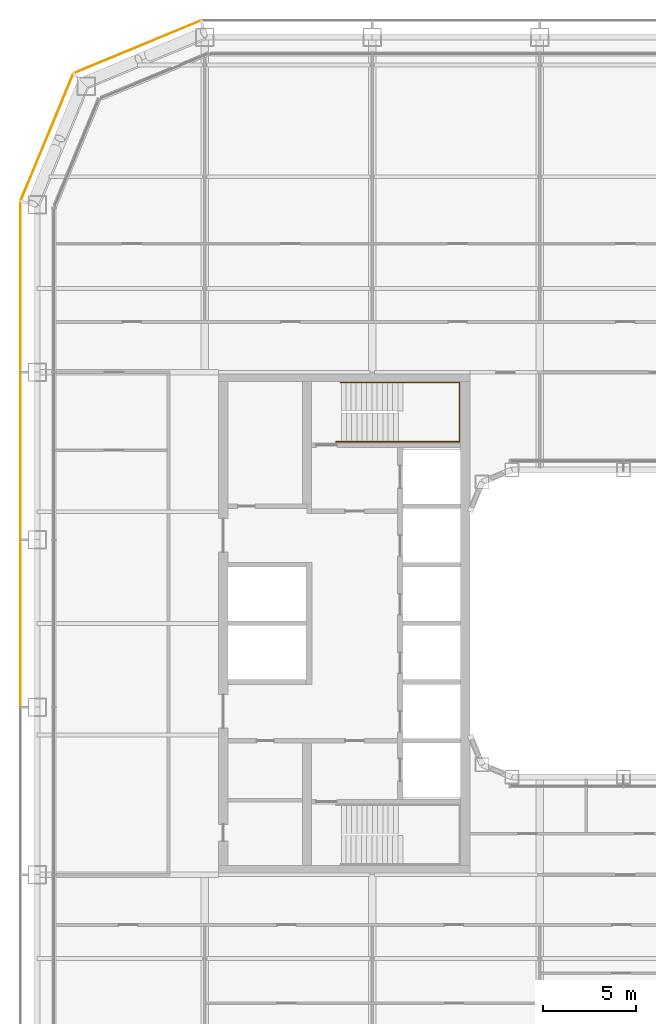
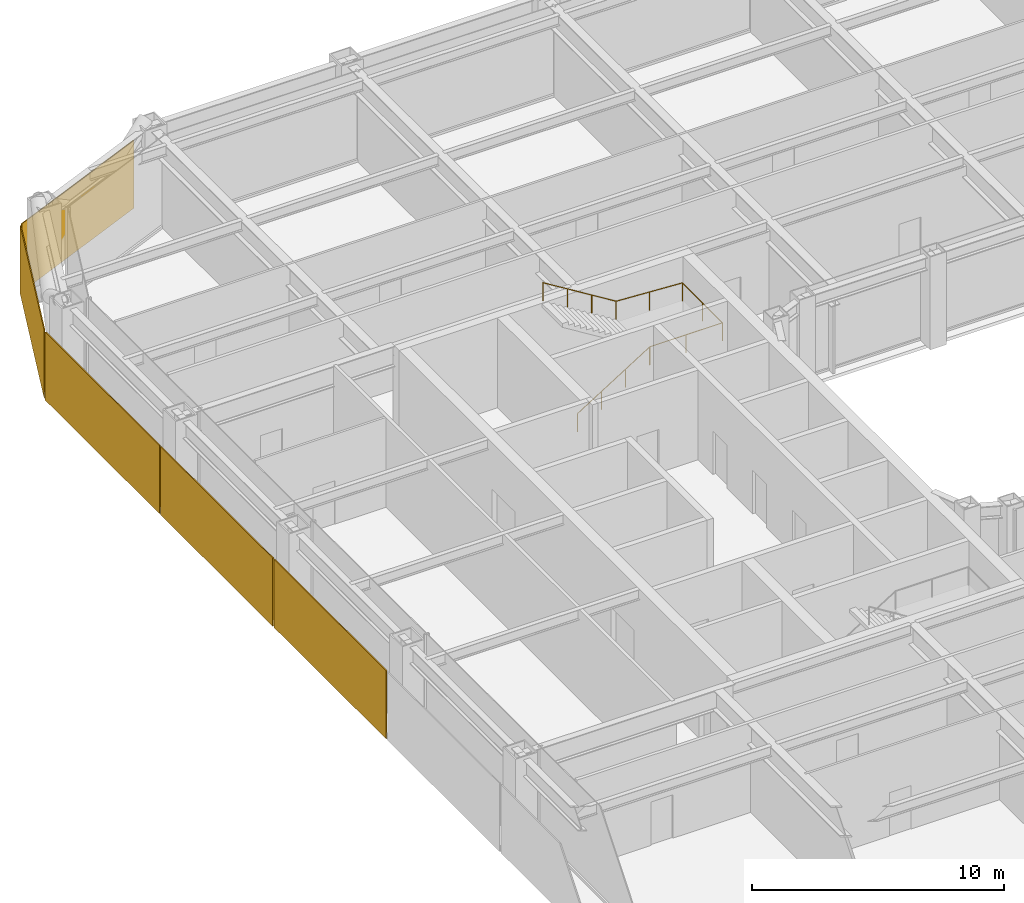
# One storey, part 22 of 24: 5 coverings, 1 railing.
"""IFC4 building model written with IfcOpenShell, lengths in metres."""

from ifc_helpers import new_model, si_unit, direction, frame, origin, origin_2d, place, context, subcontext, project, spatial, rectangle, circle, extrude, material, layer, layer_set, type_object, element, save


model = new_model("IFC4")

# Units and contexts
model_context = context("Model", 3, precision=1e-05, world=origin(), true_north=direction((0.0, 1.0)))
body_context = subcontext(model_context, "Body", "Model", "MODEL_VIEW")
ifc_project = project(units=[si_unit("LENGTHUNIT", "METRE"), si_unit("AREAUNIT", "SQUARE_METRE"), si_unit("VOLUMEUNIT", "CUBIC_METRE"), si_unit("PLANEANGLEUNIT", "RADIAN"), si_unit("MASSUNIT", "GRAM", prefix="KILO")], contexts=[model_context])

# Site, building, storey
site_placement = place(None, origin())
site = spatial("IfcSite", under=ifc_project, at=site_placement, CompositionType="ELEMENT")
building_placement = place(site_placement, origin())
building = spatial("IfcBuilding", under=site, at=building_placement, Name="Siwar Civic Tower", CompositionType="ELEMENT")
storey_placement = place(building_placement, frame((0.0, 0.0, 76.199951171875)))
storey = spatial("IfcBuildingStorey", under=building, at=storey_placement, Name="L16", CompositionType="ELEMENT", Elevation=76.199951171875)

# Railing
ifc_material_1 = material(Name="Stainless steel", Category="steel")
railing_type = type_object("IfcRailingType", Name="CORE-STAIR-HANDRAIL", PredefinedType="HANDRAIL", material=ifc_material_1)
railing_placement = place(storey_placement, frame((-15.449951171875, 9.758056640625, 0.173095703125)))
element("IfcRailing", 1, at=railing_placement, inside=storey, type_object=railing_type, Name="Stair handrail ST1", PredefinedType="HANDRAIL", context=body_context, shape_type="SweptSolid", body=[
    extrude(circle(Radius=0.02001953125, at=origin_2d()), frame((0.0, 0.0, 0.8798828125), z_axis=(0.847063342986, 0.0, 0.531491950051), x_axis=(0.0, 1.0, 0.0)), (0.0, 0.0, 1.0), 3.90771484375),
    extrude(circle(Radius=0.02001953125, at=origin_2d()), frame((3.31005859375, 0.0, 2.956787109375), z_axis=(1.0, 0.0, 0.0), x_axis=(0.0, 1.0, 0.0)), (0.0, 0.0, 1.0), 3.331787109375),
    extrude(circle(Radius=0.02001953125, at=origin_2d()), frame((6.641845703125, 0.0, 2.956787109375), z_axis=(0.0, 1.0, 0.0), x_axis=(-1.0, 0.0, 0.0)), (0.0, 0.0, 1.0), 3.183837890625),
    extrude(circle(Radius=0.02001953125, at=origin_2d()), frame((6.641845703125, 3.183837890625, 2.956787109375), z_axis=(-0.99837434197, 0.0, 0.056997134106), x_axis=(0.0, -1.0, 0.0)), (0.0, 0.0, 1.0), 3.036865234375),
    extrude(circle(Radius=0.02001953125, at=origin_2d()), frame((3.60986328125, 3.183837890625, 3.1298828125), z_axis=(-0.850606129759, 0.0, 0.525803396734), x_axis=(0.0, -1.0, 0.0)), (0.0, 0.0, 1.0), 3.949951171875),
    extrude(circle(Radius=0.02001953125, at=origin_2d()), origin(), (0.0, 0.0, 1.0), 0.85986328125),
    extrude(circle(Radius=0.02001953125, at=origin_2d()), frame((1.103271484375, 0.0, 0.6923828125)), (0.0, 0.0, 1.0), 0.85986328125),
    extrude(circle(Radius=0.02001953125, at=origin_2d()), frame((2.206787109375, 0.0, 1.384521484375)), (0.0, 0.0, 1.0), 0.85986328125),
    extrude(circle(Radius=0.02001953125, at=origin_2d()), frame((3.31005859375, 0.0, 2.076904296875)), (0.0, 0.0, 1.0), 0.85986328125),
    extrude(circle(Radius=0.02001953125, at=origin_2d()), frame((4.97607421875, 0.0, 2.076904296875)), (0.0, 0.0, 1.0), 0.85986328125),
    extrude(circle(Radius=0.02001953125, at=origin_2d()), frame((6.641845703125, 0.0, 2.076904296875)), (0.0, 0.0, 1.0), 0.85986328125),
    extrude(circle(Radius=0.02001953125, at=origin_2d()), frame((6.641845703125, 1.591796875, 2.076904296875)), (0.0, 0.0, 1.0), 0.85986328125),
    extrude(circle(Radius=0.02001953125, at=origin_2d()), frame((6.641845703125, 3.183837890625, 2.076904296875)), (0.0, 0.0, 1.0), 0.85986328125),
    extrude(circle(Radius=0.02001953125, at=origin_2d()), frame((5.1259765625, 3.183837890625, 2.16357421875)), (0.0, 0.0, 1.0), 0.85986328125),
    extrude(circle(Radius=0.02001953125, at=origin_2d()), frame((3.60986328125, 3.183837890625, 2.25)), (0.0, 0.0, 1.0), 0.85986328125),
    extrude(circle(Radius=0.02001953125, at=origin_2d()), frame((2.489990234375, 3.183837890625, 2.9423828125)), (0.0, 0.0, 1.0), 0.85986328125),
    extrude(circle(Radius=0.02001953125, at=origin_2d()), frame((1.369873046875, 3.183837890625, 3.634521484375)), (0.0, 0.0, 1.0), 0.85986328125),
    extrude(circle(Radius=0.02001953125, at=origin_2d()), frame((0.25, 3.183837890625, 4.326904296875)), (0.0, 0.0, 1.0), 0.85986328125),
])

# Coverings
ifc_material_2 = material(Name="Perforated aluminium cassette, pale metal", Category="aluminium")
ifc_layer_1 = layer(ifc_material_2, 0.0400390625)
ifc_layer_set_1 = layer_set([ifc_layer_1], Name="Perforated aluminium cassette, pale metal")
covering_type_1 = type_object("IfcCoveringType", Name="ENV-OUTER SKIN OS-1", PredefinedType="CLADDING", material=ifc_layer_set_1)
covering_1_placement = place(storey_placement, frame((-26.115966796875, 30.976318359375, -0.14990234375), z_axis=(0.0, 0.0, 1.0), x_axis=(-0.923879532511, -0.382683432365, 0.0)))
element("IfcCovering", 2, at=covering_1_placement, inside=storey, type_object=covering_type_1, Name="OUTER SKIN OS-1 NW1 1", PredefinedType="CLADDING", context=body_context, shape_type="SweptSolid", body=[
    extrude(rectangle(XDim=7.300048828125, YDim=0.0400390625, at=origin_2d()), origin(), (0.0, 0.0, 1.0), 3.300048828125),
])
ifc_material_3 = material(Name="Perforated aluminium cassette, pale metal", Category="aluminium")
ifc_layer_2 = layer(ifc_material_3, 0.044921875)
ifc_layer_set_2 = layer_set([ifc_layer_2], Name="Perforated aluminium cassette, pale metal")
covering_type_2 = type_object("IfcCoveringType", Name="ENV-OUTER SKIN OS-2", PredefinedType="CLADDING", material=ifc_layer_set_2)
covering_2_placement = place(storey_placement, frame((-30.976318359375, 26.115966796875, -0.14990234375), z_axis=(0.0, 0.0, 1.0), x_axis=(-0.382683432365, -0.923879532511, 0.0)))
element("IfcCovering", 3, at=covering_2_placement, inside=storey, type_object=covering_type_2, Name="OUTER SKIN OS-2 NW2 1", PredefinedType="CLADDING", context=body_context, shape_type="SweptSolid", body=[
    extrude(rectangle(XDim=7.300048828125, YDim=0.044921875, at=origin_2d()), origin(), (0.0, 0.0, 1.0), 3.300048828125),
])
ifc_material_4 = material(Name="Perforated aluminium cassette, pale metal", Category="aluminium")
ifc_layer_3 = layer(ifc_material_4, 0.050048828125)
ifc_layer_set_3 = layer_set([ifc_layer_3], Name="Perforated aluminium cassette, pale metal")
covering_type_3 = type_object("IfcCoveringType", Name="ENV-OUTER SKIN OS-3", PredefinedType="CLADDING", material=ifc_layer_set_3)
covering_3_placement = place(storey_placement, frame((-32.39990234375, 18.07958984375, -0.14990234375), z_axis=(0.0, 0.0, 1.0), x_axis=(0.0, -1.0, 0.0)))
element("IfcCovering", 4, at=covering_3_placement, inside=storey, type_object=covering_type_3, Name="OUTER SKIN OS-3 W 1", PredefinedType="CLADDING", context=body_context, shape_type="SweptSolid", body=[
    extrude(rectangle(XDim=9.05908203125, YDim=0.050048828125, at=origin_2d()), origin(), (0.0, 0.0, 1.0), 3.300048828125),
])
for number, where, z_axis, x_axis, name in (
    (5, (-32.39990234375, 9.0, -0.14990234375), (0.0, 0.0, 1.0), (0.0, -1.0, 0.0), "OUTER SKIN OS-3 W 2"),
    (6, (-32.39990234375, 0.0, -0.14990234375), (0.0, 0.0, 1.0), (0.0, -1.0, 0.0), "OUTER SKIN OS-3 W 3"),
):
    element("IfcCovering", number, at=place(storey_placement, frame(where, z_axis=z_axis, x_axis=x_axis)), inside=storey, type_object=covering_type_3, Name=name, PredefinedType="CLADDING", context=body_context, shape_type="SweptSolid", body=[
        extrude(rectangle(XDim=8.89990234375, YDim=0.050048828125, at=origin_2d()), origin(), (0.0, 0.0, 1.0), 3.300048828125),
    ])

save(model, "model.ifc")
